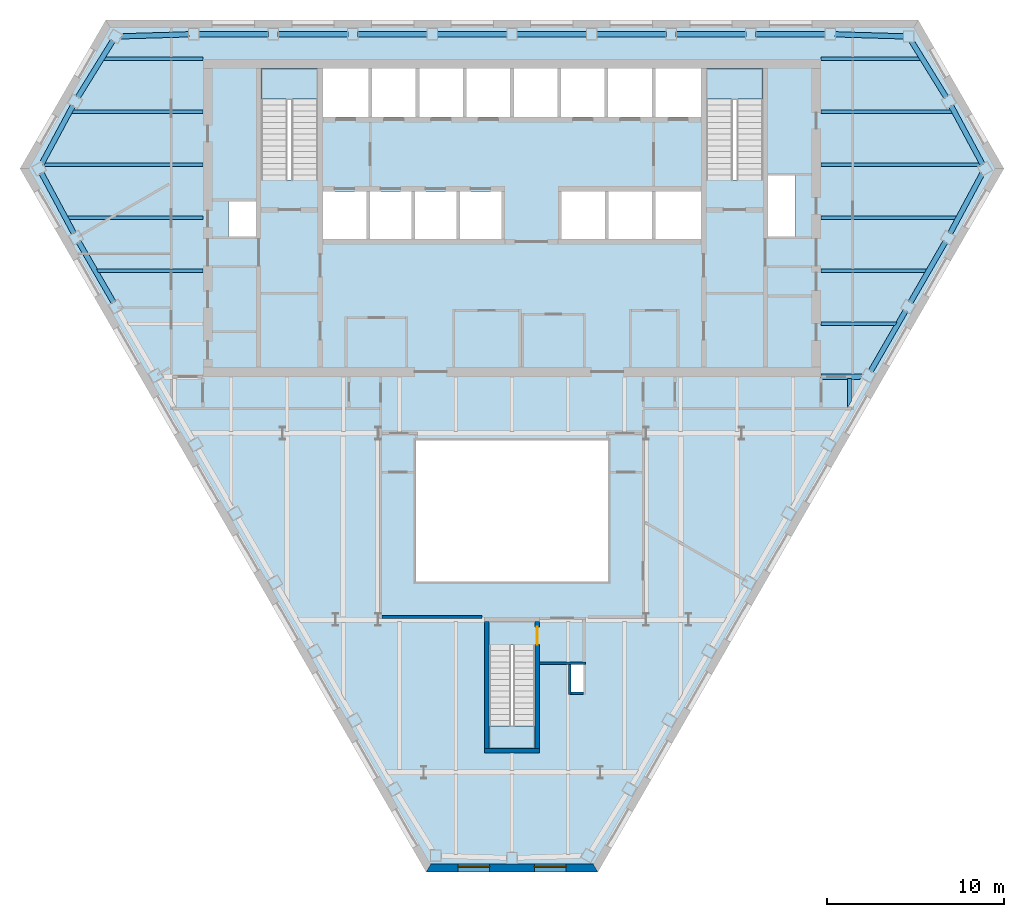
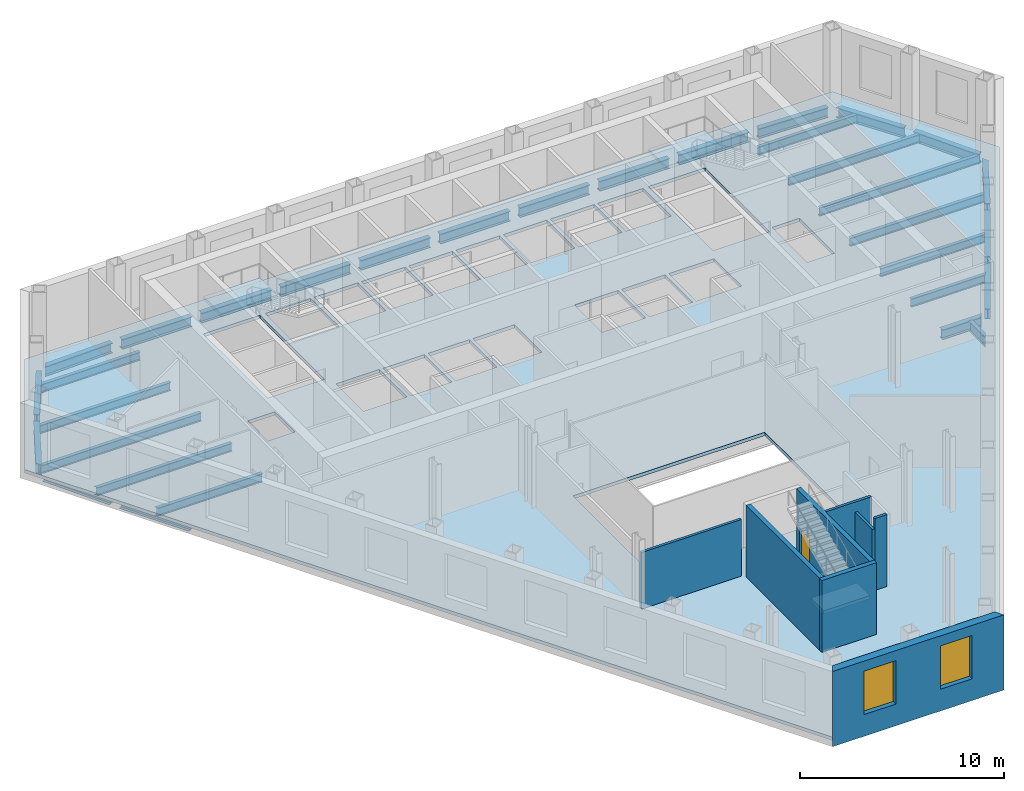
# One storey, part 3 of 11: 32 beams, 8 walls, 4 slabs, 2 windows, 1 door, 3 openings, 3 elements without a shape of their own.
"""IFC4 building model written with IfcOpenShell, lengths in metres."""

from ifc_helpers import new_model, si_unit, direction, frame, frame_2d, origin, origin_2d, place, context, subcontext, project, spatial, polyline, rectangle, i_section, outline, extrude, clip, halfspace, material, layer, layer_set, material_profile, profile_set, type_object, element, fill, aggregate, save


model = new_model("IFC4")

# Units and contexts
model_context = context("Model", 3, precision=1e-05, world=origin(), true_north=direction((0.0, 1.0)))
body_context = subcontext(model_context, "Body", "Model", "MODEL_VIEW")
ifc_project = project(units=[si_unit("LENGTHUNIT", "METRE"), si_unit("AREAUNIT", "SQUARE_METRE"), si_unit("VOLUMEUNIT", "CUBIC_METRE"), si_unit("PLANEANGLEUNIT", "RADIAN"), si_unit("MASSUNIT", "GRAM", prefix="KILO")], contexts=[model_context])

# Site, building, storey
site_placement = place(None, origin())
site = spatial("IfcSite", under=ifc_project, at=site_placement, CompositionType="ELEMENT")
building_placement = place(site_placement, origin())
building = spatial("IfcBuilding", under=site, at=building_placement, Name="Njiva Tower", CompositionType="ELEMENT")
storey_placement = place(building_placement, frame((0.0, 0.0, 115.8)))
storey = spatial("IfcBuildingStorey", under=building, at=storey_placement, Name="L24", CompositionType="ELEMENT", Elevation=115.8)

# Beams
ifc_material_1 = material(Name="Steel S355 J2", Category="steel")
ifc_material_profile_1 = material_profile(ifc_material_1, i_section(OverallWidth=0.22, OverallDepth=0.6, WebThickness=0.012, FlangeThickness=0.019, at=origin_2d()), Name="IPE 600")
ifc_profile_set_1 = profile_set([ifc_material_profile_1], Name="Steel S355 J2")
beam_type_1 = type_object("IfcBeamType", Name="B14 Short-span floor joist IPE 600", PredefinedType="JOIST", material=ifc_profile_set_1)
beam_1_placement = place(storey_placement, frame((19.1, -0.1, -0.5), z_axis=(0.0, -1.0, 0.0), x_axis=(1.0, 0.0, 0.0)))
element("IfcBeam", 1, at=beam_1_placement, inside=storey, type_object=beam_type_1, Name="Short-span floor joist S08-B090", PredefinedType="JOIST", context=body_context, shape_type="Clipping", body=[
    clip(extrude(i_section(OverallWidth=0.22, OverallDepth=0.6, WebThickness=0.012, FlangeThickness=0.019, at=origin_2d()), origin(), (0.0, 0.0, 1.0), 1.693), halfspace(frame((0.0433, 0.0, 1.4069), z_axis=(0.866026552831, 0.0, 0.499998009787), x_axis=(0.0, 1.0, 0.0)), False)),
])
ifc_material_profile_2 = material_profile(ifc_material_1, i_section(OverallWidth=0.3, OverallDepth=0.6, WebThickness=0.0155, FlangeThickness=0.03, at=origin_2d()), Name="HEB 600")
ifc_profile_set_2 = profile_set([ifc_material_profile_2], Name="Steel S355 J2")
beam_type_2 = type_object("IfcBeamType", Name="B21 Short-span floor girder HEB 600", PredefinedType="BEAM", material=ifc_profile_set_2)
beam_2_placement = place(storey_placement, frame((17.5, 0.0, -0.5), z_axis=(1.0, 0.0, 0.0), x_axis=(0.0, 1.0, 0.0)))
element("IfcBeam", 2, at=beam_2_placement, inside=storey, type_object=beam_type_2, Name="Short-span floor girder S08-B028", PredefinedType="BEAM", context=body_context, shape_type="Clipping", body=[
    clip(extrude(i_section(OverallWidth=0.3, OverallDepth=0.6, WebThickness=0.0155, FlangeThickness=0.03, at=origin_2d()), origin(), (0.0, 0.0, 1.0), 2.389), halfspace(frame((-0.025, 0.0, 2.2674), z_axis=(-0.499998009787, 0.0, 0.866026552831), x_axis=(0.0, 1.0, 0.0)), False)),
])
ifc_material_profile_3 = material_profile(ifc_material_1, i_section(OverallWidth=0.2, OverallDepth=0.5, WebThickness=0.0102, FlangeThickness=0.016, at=origin_2d()), Name="IPE 500")
ifc_profile_set_3 = profile_set([ifc_material_profile_3], Name="Steel S355 J2")
beam_type_3 = type_object("IfcBeamType", Name="B24 Floor beam to the core IPE 500", PredefinedType="BEAM", material=ifc_profile_set_3)
beam_3_placement = place(storey_placement, frame((-23.555, 6.0, -0.45), z_axis=(1.0, 0.0, 0.0), x_axis=(0.0, 1.0, 0.0)))
element("IfcBeam", 3, at=beam_3_placement, inside=storey, type_object=beam_type_3, Name="Floor beam to the core S08-B005", PredefinedType="BEAM", context=body_context, shape_type="Clipping", body=[
    clip(extrude(i_section(OverallWidth=0.2, OverallDepth=0.5, WebThickness=0.0102, FlangeThickness=0.016, at=origin_2d()), origin(), (0.0, 0.0, 1.0), 6.055), halfspace(frame((-0.025, 0.0, 0.092), z_axis=(-0.499998009787, 0.0, -0.866026552831), x_axis=(0.0, -1.0, 0.0)), False)),
])
beam_4_placement = place(storey_placement, frame((17.5, 6.0, -0.45), z_axis=(1.0, 0.0, 0.0), x_axis=(0.0, 1.0, 0.0)))
element("IfcBeam", 4, at=beam_4_placement, inside=storey, type_object=beam_type_3, Name="Floor beam to the core S08-B009", PredefinedType="BEAM", context=body_context, shape_type="Clipping", body=[
    clip(extrude(i_section(OverallWidth=0.2, OverallDepth=0.5, WebThickness=0.0102, FlangeThickness=0.016, at=origin_2d()), origin(), (0.0, 0.0, 1.0), 6.055), halfspace(frame((-0.025, 0.0, 5.963), z_axis=(-0.499998009787, 0.0, 0.866026552831), x_axis=(0.0, 1.0, 0.0)), False)),
])
beam_5_placement = place(storey_placement, frame((-25.241, 9.0, -0.45), z_axis=(1.0, 0.0, 0.0), x_axis=(0.0, 1.0, 0.0)))
element("IfcBeam", 5, at=beam_5_placement, inside=storey, type_object=beam_type_3, Name="Floor beam to the core S08-B003", PredefinedType="BEAM", context=body_context, shape_type="Clipping", body=[
    clip(extrude(i_section(OverallWidth=0.2, OverallDepth=0.5, WebThickness=0.0102, FlangeThickness=0.016, at=origin_2d()), origin(), (0.0, 0.0, 1.0), 7.741), halfspace(frame((-0.0237, 0.0, 0.0865), z_axis=(-0.47376166762, 0.0, -0.88065309986), x_axis=(0.0, -1.0, 0.0)), False)),
])
beam_6_placement = place(storey_placement, frame((17.5, 9.0, -0.45), z_axis=(1.0, 0.0, 0.0), x_axis=(0.0, 1.0, 0.0)))
element("IfcBeam", 6, at=beam_6_placement, inside=storey, type_object=beam_type_3, Name="Floor beam to the core S08-B010", PredefinedType="BEAM", context=body_context, shape_type="Clipping", body=[
    clip(extrude(i_section(OverallWidth=0.2, OverallDepth=0.5, WebThickness=0.0102, FlangeThickness=0.016, at=origin_2d()), origin(), (0.0, 0.0, 1.0), 7.741), halfspace(frame((-0.0237, 0.0, 7.6545), z_axis=(-0.47376166762, 0.0, 0.88065309986), x_axis=(0.0, 1.0, 0.0)), False)),
])
beam_7_placement = place(storey_placement, frame((-26.635, 12.0, -0.45), z_axis=(1.0, 0.0, 0.0), x_axis=(0.0, 1.0, 0.0)))
element("IfcBeam", 7, at=beam_7_placement, inside=storey, type_object=beam_type_3, Name="Floor beam to the core S08-B001", PredefinedType="BEAM", context=body_context, shape_type="Clipping", body=[
    clip(extrude(i_section(OverallWidth=0.2, OverallDepth=0.5, WebThickness=0.0102, FlangeThickness=0.016, at=origin_2d()), origin(), (0.0, 0.0, 1.0), 9.135), halfspace(frame((-0.025, 0.0, 0.092), z_axis=(-0.499998009787, 0.0, -0.866026552831), x_axis=(0.0, -1.0, 0.0)), False)),
])
beam_8_placement = place(storey_placement, frame((17.5, 12.0, -0.45), z_axis=(1.0, 0.0, 0.0), x_axis=(0.0, 1.0, 0.0)))
element("IfcBeam", 8, at=beam_8_placement, inside=storey, type_object=beam_type_3, Name="Floor beam to the core S08-B012", PredefinedType="BEAM", context=body_context, shape_type="Clipping", body=[
    clip(extrude(i_section(OverallWidth=0.2, OverallDepth=0.5, WebThickness=0.0102, FlangeThickness=0.016, at=origin_2d()), origin(), (0.0, 0.0, 1.0), 9.299), halfspace(frame((-0.0433, 0.0, 9.0306), z_axis=(-0.866026552831, 0.0, 0.499998009787), x_axis=(0.0, 1.0, 0.0)), False)),
])
beam_9_placement = place(storey_placement, frame((-25.01, 15.0, -0.45), z_axis=(1.0, 0.0, 0.0), x_axis=(0.0, 1.0, 0.0)))
element("IfcBeam", 9, at=beam_9_placement, inside=storey, type_object=beam_type_3, Name="Floor beam to the core S08-B004", PredefinedType="BEAM", context=body_context, shape_type="Clipping", body=[
    clip(extrude(i_section(OverallWidth=0.2, OverallDepth=0.5, WebThickness=0.0102, FlangeThickness=0.016, at=origin_2d()), origin(), (0.0, 0.0, 1.0), 7.51), halfspace(frame((0.0237, 0.0, 0.0866), z_axis=(0.473099472471, 0.0, -0.881009017631), x_axis=(0.0, -1.0, 0.0)), False)),
])
beam_10_placement = place(storey_placement, frame((17.5, 15.0, -0.45), z_axis=(1.0, 0.0, 0.0), x_axis=(0.0, 1.0, 0.0)))
element("IfcBeam", 10, at=beam_10_placement, inside=storey, type_object=beam_type_3, Name="Floor beam to the core S08-B013", PredefinedType="BEAM", context=body_context, shape_type="Clipping", body=[
    clip(extrude(i_section(OverallWidth=0.2, OverallDepth=0.5, WebThickness=0.0102, FlangeThickness=0.016, at=origin_2d()), origin(), (0.0, 0.0, 1.0), 7.51), halfspace(frame((0.0237, 0.0, 7.4234), z_axis=(0.473099472471, 0.0, 0.881009017631), x_axis=(0.0, 1.0, 0.0)), False)),
])
beam_11_placement = place(storey_placement, frame((-23.205, 18.0, -0.45), z_axis=(1.0, 0.0, 0.0), x_axis=(0.0, 1.0, 0.0)))
element("IfcBeam", 11, at=beam_11_placement, inside=storey, type_object=beam_type_3, Name="Floor beam to the core S08-B006", PredefinedType="BEAM", context=body_context, shape_type="Clipping", body=[
    clip(extrude(i_section(OverallWidth=0.2, OverallDepth=0.5, WebThickness=0.0102, FlangeThickness=0.016, at=origin_2d()), origin(), (0.0, 0.0, 1.0), 5.705), halfspace(frame((0.0263, 0.0, 0.0982), z_axis=(0.526429317406, 0.0, -0.850218897564), x_axis=(0.0, -1.0, 0.0)), False)),
])
beam_12_placement = place(storey_placement, frame((17.5, 18.0, -0.45), z_axis=(1.0, 0.0, 0.0), x_axis=(0.0, 1.0, 0.0)))
element("IfcBeam", 12, at=beam_12_placement, inside=storey, type_object=beam_type_3, Name="Floor beam to the core S08-B014", PredefinedType="BEAM", context=body_context, shape_type="Clipping", body=[
    clip(extrude(i_section(OverallWidth=0.2, OverallDepth=0.5, WebThickness=0.0102, FlangeThickness=0.016, at=origin_2d()), origin(), (0.0, 0.0, 1.0), 5.705), halfspace(frame((0.0263, 0.0, 5.6068), z_axis=(0.526429317406, 0.0, 0.850218897564), x_axis=(0.0, 1.0, 0.0)), False)),
])
ifc_material_profile_4 = material_profile(ifc_material_1, i_section(OverallWidth=0.2, OverallDepth=0.5, WebThickness=0.0102, FlangeThickness=0.016, at=origin_2d()), Name="IPE 500")
ifc_profile_set_4 = profile_set([ifc_material_profile_4], Name="Steel S355 J2")
beam_type_4 = type_object("IfcBeamType", Name="B25 Short-span floor beam to the core IPE 500", PredefinedType="BEAM", material=ifc_profile_set_4)
beam_13_placement = place(storey_placement, frame((17.5, 3.0, -0.45), z_axis=(1.0, 0.0, 0.0), x_axis=(0.0, 1.0, 0.0)))
element("IfcBeam", 13, at=beam_13_placement, inside=storey, type_object=beam_type_4, Name="Short-span floor beam to the core S08-B008", PredefinedType="BEAM", context=body_context, shape_type="Clipping", body=[
    clip(extrude(i_section(OverallWidth=0.2, OverallDepth=0.5, WebThickness=0.0102, FlangeThickness=0.016, at=origin_2d()), origin(), (0.0, 0.0, 1.0), 4.323), halfspace(frame((-0.025, 0.0, 4.2309), z_axis=(-0.499998009787, 0.0, 0.866026552831), x_axis=(0.0, 1.0, 0.0)), False)),
])
ifc_material_profile_5 = material_profile(ifc_material_1, i_section(OverallWidth=0.3, OverallDepth=0.6, WebThickness=0.0155, FlangeThickness=0.03, at=origin_2d()), Name="HEB 600")
ifc_profile_set_5 = profile_set([ifc_material_profile_5], Name="Steel S355 J2")
beam_type_5 = type_object("IfcBeamType", Name="B3 Short-span spandrel beam HEB 600", PredefinedType="SPANDREL", material=ifc_profile_set_5)
beam_14_placement = place(storey_placement, frame((22.177, 19.275, -0.5), z_axis=(-0.999543780598, 0.030203156593, 0.0), x_axis=(-0.030203156593, -0.999543780598, 0.0)))
element("IfcBeam", 14, at=beam_14_placement, inside=storey, type_object=beam_type_5, Name="Short-span spandrel beam S08-B151", PredefinedType="SPANDREL", context=body_context, shape_type="SweptSolid", body=[
    extrude(i_section(OverallWidth=0.3, OverallDepth=0.6, WebThickness=0.0155, FlangeThickness=0.03, at=origin_2d()), origin(), (0.0, 0.0, 1.0), 3.8738),
])
beam_15_placement = place(storey_placement, frame((17.751, 19.4, -0.5), z_axis=(-1.0, 0.0, 0.0), x_axis=(0.0, -1.0, 0.0)))
element("IfcBeam", 15, at=beam_15_placement, inside=storey, type_object=beam_type_5, Name="Short-span spandrel beam S08-B145", PredefinedType="SPANDREL", context=body_context, shape_type="SweptSolid", body=[
    extrude(i_section(OverallWidth=0.3, OverallDepth=0.6, WebThickness=0.0155, FlangeThickness=0.03, at=origin_2d()), origin(), (0.0, 0.0, 1.0), 3.956),
])
beam_16_placement = place(storey_placement, frame((13.245, 19.4, -0.5), z_axis=(-1.0, 0.0, 0.0), x_axis=(0.0, -1.0, 0.0)))
element("IfcBeam", 16, at=beam_16_placement, inside=storey, type_object=beam_type_5, Name="Short-span spandrel beam S08-B140", PredefinedType="SPANDREL", context=body_context, shape_type="SweptSolid", body=[
    extrude(i_section(OverallWidth=0.3, OverallDepth=0.6, WebThickness=0.0155, FlangeThickness=0.03, at=origin_2d()), origin(), (0.0, 0.0, 1.0), 3.957),
])
beam_17_placement = place(storey_placement, frame((8.738, 19.4, -0.5), z_axis=(-1.0, 0.0, 0.0), x_axis=(0.0, -1.0, 0.0)))
element("IfcBeam", 17, at=beam_17_placement, inside=storey, type_object=beam_type_5, Name="Short-span spandrel beam S08-B135", PredefinedType="SPANDREL", context=body_context, shape_type="SweptSolid", body=[
    extrude(i_section(OverallWidth=0.3, OverallDepth=0.6, WebThickness=0.0155, FlangeThickness=0.03, at=origin_2d()), origin(), (0.0, 0.0, 1.0), 3.956),
])
for number, where, z_axis, x_axis, name in (
    (18, (4.232, 19.4, -0.5), (-1.0, 0.0, 0.0), (0.0, -1.0, 0.0), "Short-span spandrel beam S08-B130"),
    (19, (-0.275, 19.4, -0.5), (-1.0, 0.0, 0.0), (0.0, -1.0, 0.0), "Short-span spandrel beam S08-B127"),
):
    element("IfcBeam", number, at=place(storey_placement, frame(where, z_axis=z_axis, x_axis=x_axis)), inside=storey, type_object=beam_type_5, Name=name, PredefinedType="SPANDREL", context=body_context, shape_type="SweptSolid", body=[
        extrude(i_section(OverallWidth=0.3, OverallDepth=0.6, WebThickness=0.0155, FlangeThickness=0.03, at=origin_2d()), origin(), (0.0, 0.0, 1.0), 3.957),
    ])
beam_18_placement = place(storey_placement, frame((-4.782, 19.4, -0.5), z_axis=(-1.0, 0.0, 0.0), x_axis=(0.0, -1.0, 0.0)))
element("IfcBeam", 20, at=beam_18_placement, inside=storey, type_object=beam_type_5, Name="Short-span spandrel beam S08-B123", PredefinedType="SPANDREL", context=body_context, shape_type="SweptSolid", body=[
    extrude(i_section(OverallWidth=0.3, OverallDepth=0.6, WebThickness=0.0155, FlangeThickness=0.03, at=origin_2d()), origin(), (0.0, 0.0, 1.0), 3.956),
])
beam_19_placement = place(storey_placement, frame((-9.288, 19.4, -0.5), z_axis=(-1.0, 0.0, 0.0), x_axis=(0.0, -1.0, 0.0)))
element("IfcBeam", 21, at=beam_19_placement, inside=storey, type_object=beam_type_5, Name="Short-span spandrel beam S08-B118", PredefinedType="SPANDREL", context=body_context, shape_type="SweptSolid", body=[
    extrude(i_section(OverallWidth=0.3, OverallDepth=0.6, WebThickness=0.0155, FlangeThickness=0.03, at=origin_2d()), origin(), (0.0, 0.0, 1.0), 3.957),
])
beam_20_placement = place(storey_placement, frame((-13.795, 19.4, -0.5), z_axis=(-1.0, 0.0, 0.0), x_axis=(0.0, -1.0, 0.0)))
element("IfcBeam", 22, at=beam_20_placement, inside=storey, type_object=beam_type_5, Name="Short-span spandrel beam S08-B113", PredefinedType="SPANDREL", context=body_context, shape_type="SweptSolid", body=[
    extrude(i_section(OverallWidth=0.3, OverallDepth=0.6, WebThickness=0.0155, FlangeThickness=0.03, at=origin_2d()), origin(), (0.0, 0.0, 1.0), 3.956),
])
beam_21_placement = place(storey_placement, frame((-18.305, 19.392, -0.5), z_axis=(-0.999542144167, -0.030257264169, 0.0), x_axis=(0.030257264169, -0.999542144167, 0.0)))
element("IfcBeam", 23, at=beam_21_placement, inside=storey, type_object=beam_type_5, Name="Short-span spandrel beam S08-B108", PredefinedType="SPANDREL", context=body_context, shape_type="Clipping", body=[
    clip(extrude(i_section(OverallWidth=0.3, OverallDepth=0.6, WebThickness=0.0155, FlangeThickness=0.03, at=origin_2d()), origin(), (0.0, 0.0, 1.0), 3.9137), halfspace(frame((-0.0268, 0.0, 3.784), z_axis=(-0.525972676968, 0.0, 0.850501465656), x_axis=(0.0, 1.0, 0.0)), False)),
])
beam_22_placement = place(storey_placement, frame((-22.603, 19.03, -0.5), z_axis=(-0.526318046731, -0.850287782862, 0.0), x_axis=(0.850287782862, -0.526318046731, 0.0)))
element("IfcBeam", 24, at=beam_22_placement, inside=storey, type_object=beam_type_5, Name="Short-span spandrel beam S08-B102", PredefinedType="SPANDREL", context=body_context, shape_type="SweptSolid", body=[
    extrude(i_section(OverallWidth=0.3, OverallDepth=0.6, WebThickness=0.0155, FlangeThickness=0.03, at=origin_2d()), origin(), (0.0, 0.0, 1.0), 3.7658),
])
beam_23_placement = place(storey_placement, frame((-24.864, 15.345, -0.5), z_axis=(-0.473243439897, -0.880931692355, 0.0), x_axis=(0.880931692355, -0.473243439897, 0.0)))
element("IfcBeam", 25, at=beam_23_placement, inside=storey, type_object=beam_type_5, Name="Short-span spandrel beam S08-B099", PredefinedType="SPANDREL", context=body_context, shape_type="Clipping", body=[
    clip(extrude(i_section(OverallWidth=0.3, OverallDepth=0.6, WebThickness=0.0155, FlangeThickness=0.03, at=origin_2d()), origin(), (0.0, 0.0, 1.0), 3.8045), halfspace(frame((-0.0261, 0.0, 3.6756), z_axis=(-0.526289458717, 0.0, 0.850305477839), x_axis=(0.0, 1.0, 0.0)), False)),
])
beam_24_placement = place(storey_placement, frame((-26.645, 11.537, -0.5), z_axis=(0.473653377276, -0.880711347829, 0.0), x_axis=(0.880711347829, 0.473653377276, 0.0)))
element("IfcBeam", 26, at=beam_24_placement, inside=storey, type_object=beam_type_5, Name="Short-span spandrel beam S08-B098", PredefinedType="SPANDREL", context=body_context, shape_type="SweptSolid", body=[
    extrude(i_section(OverallWidth=0.3, OverallDepth=0.6, WebThickness=0.0155, FlangeThickness=0.03, at=origin_2d()), origin(), (0.0, 0.0, 1.0), 3.8741),
])
beam_25_placement = place(storey_placement, frame((-24.54, 7.641, -0.5), z_axis=(0.499999616612, -0.866025625133, 0.0), x_axis=(0.866025625133, 0.499999616612, 0.0)))
element("IfcBeam", 27, at=beam_25_placement, inside=storey, type_object=beam_type_5, Name="Short-span spandrel beam S08-B103", PredefinedType="SPANDREL", context=body_context, shape_type="SweptSolid", body=[
    extrude(i_section(OverallWidth=0.3, OverallDepth=0.6, WebThickness=0.0155, FlangeThickness=0.03, at=origin_2d()), origin(), (0.0, 0.0, 1.0), 3.956),
])
beam_26_placement = place(storey_placement, frame((20.309, 0.312, -0.5), z_axis=(0.499890179513, 0.866088799389, 0.0), x_axis=(-0.866088799389, 0.499890179513, 0.0)))
element("IfcBeam", 28, at=beam_26_placement, inside=storey, type_object=beam_type_5, Name="Short-span spandrel beam S08-B154", PredefinedType="SPANDREL", context=body_context, shape_type="SweptSolid", body=[
    extrude(i_section(OverallWidth=0.3, OverallDepth=0.6, WebThickness=0.0155, FlangeThickness=0.03, at=origin_2d()), origin(), (0.0, 0.0, 1.0), 3.9569),
])
beam_27_placement = place(storey_placement, frame((22.562, 4.215, -0.5), z_axis=(0.499999616612, 0.866025625133, 0.0), x_axis=(-0.866025625133, 0.499999616612, 0.0)))
element("IfcBeam", 29, at=beam_27_placement, inside=storey, type_object=beam_type_5, Name="Short-span spandrel beam S08-B156", PredefinedType="SPANDREL", context=body_context, shape_type="SweptSolid", body=[
    extrude(i_section(OverallWidth=0.3, OverallDepth=0.6, WebThickness=0.0155, FlangeThickness=0.03, at=origin_2d()), origin(), (0.0, 0.0, 1.0), 3.956),
])
beam_28_placement = place(storey_placement, frame((24.81, 8.125, -0.5), z_axis=(0.473848769569, 0.880606236395, 0.0), x_axis=(-0.880606236395, 0.473848769569, 0.0)))
element("IfcBeam", 30, at=beam_28_placement, inside=storey, type_object=beam_type_5, Name="Short-span spandrel beam S08-B160", PredefinedType="SPANDREL", context=body_context, shape_type="Clipping", body=[
    clip(extrude(i_section(OverallWidth=0.3, OverallDepth=0.6, WebThickness=0.0155, FlangeThickness=0.03, at=origin_2d()), origin(), (0.0, 0.0, 1.0), 3.9138), halfspace(frame((-0.026, 0.0, 3.7843), z_axis=(-0.525704941583, 0.0, 0.850666982077), x_axis=(0.0, 1.0, 0.0)), False)),
])
beam_29_placement = place(storey_placement, frame((26.646, 12.028, -0.5), z_axis=(-0.473260234506, 0.880922669952, 0.0), x_axis=(-0.880922669952, -0.473260234506, 0.0)))
element("IfcBeam", 31, at=beam_29_placement, inside=storey, type_object=beam_type_5, Name="Short-span spandrel beam S08-B161", PredefinedType="SPANDREL", context=body_context, shape_type="SweptSolid", body=[
    extrude(i_section(OverallWidth=0.3, OverallDepth=0.6, WebThickness=0.0155, FlangeThickness=0.03, at=origin_2d()), origin(), (0.0, 0.0, 1.0), 3.7654),
])
beam_30_placement = place(storey_placement, frame((24.585, 15.828, -0.5), z_axis=(-0.526317312781, 0.850288237169, 0.0), x_axis=(-0.850288237169, -0.526317312781, 0.0)))
element("IfcBeam", 32, at=beam_30_placement, inside=storey, type_object=beam_type_5, Name="Short-span spandrel beam S08-B157", PredefinedType="SPANDREL", context=body_context, shape_type="Clipping", body=[
    clip(extrude(i_section(OverallWidth=0.3, OverallDepth=0.6, WebThickness=0.0155, FlangeThickness=0.03, at=origin_2d()), origin(), (0.0, 0.0, 1.0), 3.8047), halfspace(frame((-0.0263, 0.0, 3.6754), z_axis=(-0.526317312781, 0.0, 0.850288237169), x_axis=(0.0, 1.0, 0.0)), False)),
])

# Stair, slab
ifc_material_2 = material(Name="Concrete C40/50", Category="concrete")
stair_type_1 = type_object("IfcStairType", Name="ST4 Exit stair 1500", PredefinedType="HALF_TURN_STAIR", material=ifc_material_2)
stair_1_placement = place(storey_placement, origin())
stair_1 = element("IfcStair", 33, at=stair_1_placement, inside=storey, type_object=stair_type_1, Name="Stair A", PredefinedType="HALF_TURN_STAIR")
ifc_layer_1 = layer(ifc_material_2, 0.2)
ifc_layer_set_1 = layer_set([ifc_layer_1], Name="Concrete C40/50")
slab_type_1 = type_object("IfcSlabType", Name="FL9 Stair landing 200", PredefinedType="LANDING", material=ifc_layer_set_1)
slab_1_placement = place(storey_placement, frame((0.0, 0.0, 2.05)))
slab_1 = element("IfcSlab", 34, at=slab_1_placement, type_object=slab_type_1, Name="ST-A landing 1", PredefinedType="LANDING", context=body_context, shape_type="SweptSolid", body=[
    extrude(outline(polyline([(-14.206, 15.72), (-10.994, 15.72), (-10.994, 17.45), (-14.206, 17.45), (-14.206, 15.72)])), origin(), (0.0, 0.0, 1.0), 0.2),
])
aggregate(stair_1, [slab_1])

stair_2_placement = place(storey_placement, origin())
stair_2 = element("IfcStair", 35, at=stair_2_placement, inside=storey, type_object=stair_type_1, Name="Stair B", PredefinedType="HALF_TURN_STAIR")
slab_2_placement = place(storey_placement, frame((0.0, 0.0, 2.05)))
slab_2 = element("IfcSlab", 36, at=slab_2_placement, type_object=slab_type_1, Name="ST-B landing 1", PredefinedType="LANDING", context=body_context, shape_type="SweptSolid", body=[
    extrude(outline(polyline([(10.994, 15.72), (14.206, 15.72), (14.206, 17.45), (10.994, 17.45), (10.994, 15.72)])), origin(), (0.0, 0.0, 1.0), 0.2),
])
aggregate(stair_2, [slab_2])

stair_type_2 = type_object("IfcStairType", Name="ST1 Exit stair 1250", PredefinedType="HALF_TURN_STAIR", material=ifc_material_2)
stair_3_placement = place(storey_placement, origin())
stair_3 = element("IfcStair", 37, at=stair_3_placement, inside=storey, type_object=stair_type_2, Name="Stair C", PredefinedType="HALF_TURN_STAIR")
slab_3_placement = place(storey_placement, frame((0.0, 0.0, 2.05)))
slab_3 = element("IfcSlab", 38, at=slab_3_placement, type_object=slab_type_1, Name="ST-C landing 1", PredefinedType="LANDING", context=body_context, shape_type="SweptSolid", body=[
    extrude(outline(polyline([(-1.306, -21.05), (1.306, -21.05), (1.306, -19.78), (-1.306, -19.78), (-1.306, -21.05)])), origin(), (0.0, 0.0, 1.0), 0.2),
])
aggregate(stair_3, [slab_3])

# Slab
ifc_material_3 = material(Name="Concrete C30/37", Category="concrete")
ifc_layer_2 = layer(ifc_material_3, 0.2)
ifc_layer_set_2 = layer_set([ifc_layer_2], Name="Concrete C30/37")
slab_type_2 = type_object("IfcSlabType", Name="SL16 Composite floor slab 200", PredefinedType="FLOOR", material=ifc_layer_set_2)
slab_4_placement = place(storey_placement, frame((0.0, 0.0, -0.2)))
element("IfcSlab", 39, at=slab_4_placement, inside=storey, type_object=slab_type_2, Name="Floor slab L24", PredefinedType="FLOOR", context=body_context, shape_type="SweptSolid", body=[
    extrude(outline(polyline([(27.5952, 11.7822), (4.7301, -27.8213), (-4.7301, -27.8213), (-27.5952, 11.7822), (-22.8651, 19.975), (22.8651, 19.975), (27.5952, 11.7822)]), holes=[polyline([(14.5, 7.95), (16.05, 7.95), (16.05, 11.3947), (14.5, 11.3947), (14.5, 7.95)]), polyline([(10.994, 17.45), (10.994, 11.13), (14.206, 11.13), (14.206, 17.45), (10.994, 17.45)]), polyline([(8.125, 17.45), (8.125, 14.7), (10.7, 14.7), (10.7, 17.45), (8.125, 17.45)]), polyline([(8.1333, 10.5), (8.1333, 7.8), (10.7, 7.8), (10.7, 10.5), (8.1333, 10.5)]), polyline([(5.4667, 10.5), (5.4667, 7.8), (7.9333, 7.8), (7.9333, 10.5), (5.4667, 10.5)]), polyline([(5.45, 17.45), (5.45, 14.7), (7.925, 14.7), (7.925, 17.45), (5.45, 17.45)]), polyline([(5.43, -11.6), (5.43, -3.6), (-5.43, -3.6), (-5.43, -11.6), (5.43, -11.6)]), polyline([(2.8, 7.8), (5.2667, 7.8), (5.2667, 10.5), (2.8, 10.5), (2.8, 7.8)]), polyline([(2.775, 14.7), (5.25, 14.7), (5.25, 17.45), (2.775, 17.45), (2.775, 14.7)]), polyline([(3.35, -17.85), (4.05, -17.85), (4.05, -16.3), (3.35, -16.3), (3.35, -17.85)]), polyline([(0.1, 17.45), (0.1, 14.7), (2.575, 14.7), (2.575, 17.45), (0.1, 17.45)]), polyline([(-1.306, -21.05), (1.306, -21.05), (1.306, -15.19), (-1.306, -15.19), (-1.306, -21.05)]), polyline([(-2.575, 17.45), (-2.575, 14.7), (-0.1, 14.7), (-0.1, 17.45), (-2.575, 17.45)]), polyline([(-2.95, 7.8), (-0.6, 7.8), (-0.6, 10.5), (-2.95, 10.5), (-2.95, 7.8)]), polyline([(-5.25, 17.45), (-5.25, 14.7), (-2.775, 14.7), (-2.775, 17.45), (-5.25, 17.45)]), polyline([(-5.5, 10.5), (-5.5, 7.8), (-3.15, 7.8), (-3.15, 10.5), (-5.5, 10.5)]), polyline([(-7.925, 14.7), (-5.45, 14.7), (-5.45, 17.45), (-7.925, 17.45), (-7.925, 14.7)]), polyline([(-8.05, 10.5), (-8.05, 7.8), (-5.7, 7.8), (-5.7, 10.5), (-8.05, 10.5)]), polyline([(-10.7, 17.45), (-10.7, 14.7), (-8.125, 14.7), (-8.125, 17.45), (-10.7, 17.45)]), polyline([(-10.7, 7.8), (-8.25, 7.8), (-8.25, 10.5), (-10.7, 10.5), (-10.7, 7.8)]), polyline([(-14.206, 17.45), (-14.206, 11.13), (-10.994, 11.13), (-10.994, 17.45), (-14.206, 17.45)]), polyline([(-14.5, 9.9333), (-16.05, 9.9333), (-16.05, 7.95), (-14.5, 7.95), (-14.5, 9.9333)])]), origin(), (0.0, 0.0, 1.0), 0.2),
])

# Walls
ifc_material_4 = material(Name="Gypsum board on steel studs", Category="gypsum")
ifc_layer_3 = layer(ifc_material_4, 0.15)
ifc_layer_set_3 = layer_set([ifc_layer_3], Name="Gypsum board on steel studs")
wall_type_1 = type_object("IfcWallType", Name="WT21 Compartment wall 150", PredefinedType="PARTITIONING", material=ifc_layer_set_3)
wall_1_placement = place(storey_placement, frame((-7.355, -13.6, 0.0), z_axis=(0.0, 0.0, 1.0), x_axis=(1.0, 0.0, 0.0)))
element("IfcWall", 40, at=wall_1_placement, inside=storey, type_object=wall_type_1, Name="Partition S08-P011", PredefinedType="PARTITIONING", context=body_context, shape_type="SweptSolid", body=[
    extrude(rectangle(XDim=5.655, YDim=0.15, at=frame_2d((2.8275, 0.0))), origin(), (0.0, 0.0, 1.0), 3.39),
])
ifc_material_5 = material(Name="Blockwork", Category="masonry")
ifc_layer_4 = layer(ifc_material_5, 0.15)
ifc_layer_set_4 = layer_set([ifc_layer_4], Name="Blockwork")
wall_type_2 = type_object("IfcWallType", Name="WT4 Stair partition 150", PredefinedType="PARTITIONING", material=ifc_layer_set_4)
wall_2_placement = place(storey_placement, frame((1.55, -16.225, 0.0), z_axis=(0.0, 0.0, 1.0), x_axis=(1.0, 0.0, 0.0)))
element("IfcWall", 41, at=wall_2_placement, inside=storey, type_object=wall_type_2, Name="Stair C vestibule wall south", PredefinedType="PARTITIONING", context=body_context, shape_type="SweptSolid", body=[
    extrude(rectangle(XDim=2.6, YDim=0.15, at=frame_2d((1.3, 0.0))), origin(), (0.0, 0.0, 1.0), 4.3),
])
wall_3_placement = place(storey_placement, frame((3.275, -18.0, 0.0), z_axis=(0.0, 0.0, 1.0), x_axis=(0.0, 1.0, 0.0)))
element("IfcWall", 42, at=wall_3_placement, inside=storey, type_object=wall_type_2, Name="Stair C pressurisation shaft wall", PredefinedType="PARTITIONING", context=body_context, shape_type="SweptSolid", body=[
    extrude(rectangle(XDim=1.7, YDim=0.15, at=frame_2d((0.85, 0.0))), origin(), (0.0, 0.0, 1.0), 3.7),
])
wall_4_placement = place(storey_placement, frame((3.35, -17.925, 0.0), z_axis=(0.0, 0.0, 1.0), x_axis=(1.0, 0.0, 0.0)))
element("IfcWall", 43, at=wall_4_placement, inside=storey, type_object=wall_type_2, Name="Stair C pressurisation shaft wall", PredefinedType="PARTITIONING", context=body_context, shape_type="SweptSolid", body=[
    extrude(rectangle(XDim=0.7, YDim=0.15, at=frame_2d((0.35, 0.0))), origin(), (0.0, 0.0, 1.0), 4.3),
])
ifc_layer_5 = layer(ifc_material_2, 0.25)
ifc_layer_set_5 = layer_set([ifc_layer_5], Name="Concrete C40/50")
wall_type_3 = type_object("IfcWallType", Name="WT9 Stair enclosure wall 250", PredefinedType="SHEAR", material=ifc_layer_set_5)
wall_5_placement = place(storey_placement, frame((-1.425, -21.05, 0.0), z_axis=(0.0, 0.0, 1.0), x_axis=(0.0, 1.0, 0.0)))
element("IfcWall", 44, at=wall_5_placement, inside=storey, type_object=wall_type_3, Name="Stair C wall west", PredefinedType="SHEAR", context=body_context, shape_type="SweptSolid", body=[
    extrude(rectangle(XDim=7.2, YDim=0.25, at=frame_2d((3.6, 0.0))), origin(), (0.0, 0.0, 1.0), 4.3),
])

# Wall, opening, door
wall_6_placement = place(storey_placement, frame((1.425, -21.05, 0.0), z_axis=(0.0, 0.0, 1.0), x_axis=(0.0, 1.0, 0.0)))
wall_6 = element("IfcWall", 45, at=wall_6_placement, inside=storey, type_object=wall_type_3, Name="Stair C wall east", PredefinedType="SHEAR", context=body_context, shape_type="SweptSolid", body=[
    extrude(rectangle(XDim=7.2, YDim=0.25, at=frame_2d((3.6, 0.0))), origin(), (0.0, 0.0, 1.0), 4.3),
])
opening_1_placement = place(wall_6_placement, frame((5.89, 0.0, 0.0)))
opening_1 = element("IfcOpeningElement", 46, at=opening_1_placement, cuts=wall_6, Name="Opening S08-D939", PredefinedType="OPENING", context=body_context, shape_type="SweptSolid", body=[
    extrude(rectangle(XDim=1.0, YDim=2.1, at=frame_2d((0.5, 1.05))), frame((0.0, 0.135, 0.0), z_axis=(0.0, -1.0, 0.0), x_axis=(1.0, 0.0, 0.0)), (0.0, 0.0, 1.0), 0.27),
])
ifc_material_6 = material(Name="Glazed steel fire door", Category="steel")
door_type = type_object("IfcDoorType", Name="D9 Stair vestibule door 1000x2100 glazed", OperationType="SINGLE_SWING_LEFT", PredefinedType="DOOR", material=ifc_material_6)
door_placement = place(opening_1_placement, origin())
door = element("IfcDoor", 47, at=door_placement, inside=storey, type_object=door_type, Name="Stair C door", OperationType="SINGLE_SWING_LEFT", OverallHeight=2.1, OverallWidth=1.0, PredefinedType="DOOR", context=body_context, shape_type="SweptSolid", body=[
    extrude(rectangle(XDim=1.0, YDim=2.1, at=frame_2d((0.5, 1.05))), frame((0.0, 0.025, 0.0), z_axis=(0.0, -1.0, 0.0), x_axis=(1.0, 0.0, 0.0)), (0.0, 0.0, 1.0), 0.05),
])
fill(opening_1, door)

# Wall
wall_7_placement = place(storey_placement, frame((-1.55, -21.175, 0.0), z_axis=(0.0, 0.0, 1.0), x_axis=(1.0, 0.0, 0.0)))
element("IfcWall", 48, at=wall_7_placement, inside=storey, type_object=wall_type_3, Name="Stair C wall south", PredefinedType="SHEAR", context=body_context, shape_type="SweptSolid", body=[
    extrude(rectangle(XDim=3.1, YDim=0.25, at=frame_2d((1.55, 0.0))), origin(), (0.0, 0.0, 1.0), 4.3),
])

# Wall, openings, windows
ifc_material_7 = material(Name="Brick masonry, buff", Category="masonry")
ifc_layer_6 = layer(ifc_material_7, 0.45)
ifc_layer_set_6 = layer_set([ifc_layer_6], Name="Brick masonry, buff")
wall_type_4 = type_object("IfcWallType", Name="WT94 Brick pier and spandrel wall 450, buff", PredefinedType="SOLIDWALL", material=ifc_layer_set_6)
wall_8_placement = place(storey_placement, frame((-4.7301, -27.8213, -0.4), z_axis=(0.0, 0.0, 1.0), x_axis=(1.0, 0.0, 0.0)))
wall_8 = element("IfcWall", 49, at=wall_8_placement, inside=storey, type_object=wall_type_4, Name="Facade wall S", PredefinedType="SOLIDWALL", context=body_context, shape_type="SweptSolid", body=[
    extrude(outline(polyline([(-0.1299, -0.225), (9.5901, -0.225), (9.3303, 0.225), (0.1299, 0.225), (-0.1299, -0.225)])), origin(), (0.0, 0.0, 1.0), 4.5),
])
opening_2_placement = place(wall_8_placement, frame((1.6694, 0.0, 1.3)))
opening_2 = element("IfcOpeningElement", 50, at=opening_2_placement, cuts=wall_8, Name="Opening S08-W21", PredefinedType="OPENING", context=body_context, shape_type="SweptSolid", body=[
    extrude(rectangle(XDim=1.8, YDim=2.6, at=frame_2d((0.9, 1.3))), frame((0.0, 0.235, 0.0), z_axis=(0.0, -1.0, 0.0), x_axis=(1.0, 0.0, 0.0)), (0.0, 0.0, 1.0), 0.47),
])
opening_3_placement = place(wall_8_placement, frame((5.9907, 0.0, 1.3)))
opening_3 = element("IfcOpeningElement", 51, at=opening_3_placement, cuts=wall_8, Name="Opening S08-W22", PredefinedType="OPENING", context=body_context, shape_type="SweptSolid", body=[
    extrude(rectangle(XDim=1.8, YDim=2.6, at=frame_2d((0.9, 1.3))), frame((0.0, 0.235, 0.0), z_axis=(0.0, -1.0, 0.0), x_axis=(1.0, 0.0, 0.0)), (0.0, 0.0, 1.0), 0.47),
])
ifc_material_8 = material(Name="Clear glazing in aluminium frame", Category="aluminium")
window_type = type_object("IfcWindowType", Name="W96 Deep-set window 1800x2600", PartitioningType="SINGLE_PANEL", PredefinedType="WINDOW", material=ifc_material_8)
window_1_placement = place(opening_2_placement, origin())
window_1 = element("IfcWindow", 52, at=window_1_placement, inside=storey, type_object=window_type, Name="Window", OverallHeight=2.6, OverallWidth=1.8, PartitioningType="SINGLE_PANEL", PredefinedType="WINDOW", context=body_context, shape_type="SweptSolid", body=[
    extrude(rectangle(XDim=1.8, YDim=2.6, at=frame_2d((0.9, 1.3))), frame((0.0, 0.105, 0.0), z_axis=(0.0, -1.0, 0.0), x_axis=(1.0, 0.0, 0.0)), (0.0, 0.0, 1.0), 0.06),
])
fill(opening_2, window_1)
window_2_placement = place(opening_3_placement, origin())
window_2 = element("IfcWindow", 53, at=window_2_placement, inside=storey, type_object=window_type, Name="Window", OverallHeight=2.6, OverallWidth=1.8, PartitioningType="SINGLE_PANEL", PredefinedType="WINDOW", context=body_context, shape_type="SweptSolid", body=[
    extrude(rectangle(XDim=1.8, YDim=2.6, at=frame_2d((0.9, 1.3))), frame((0.0, 0.105, 0.0), z_axis=(0.0, -1.0, 0.0), x_axis=(1.0, 0.0, 0.0)), (0.0, 0.0, 1.0), 0.06),
])
fill(opening_3, window_2)

save(model, "model.ifc")
